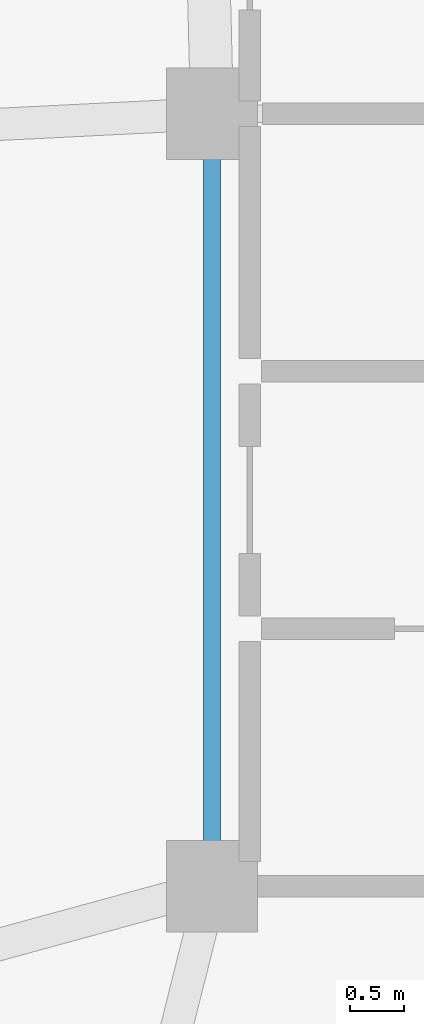
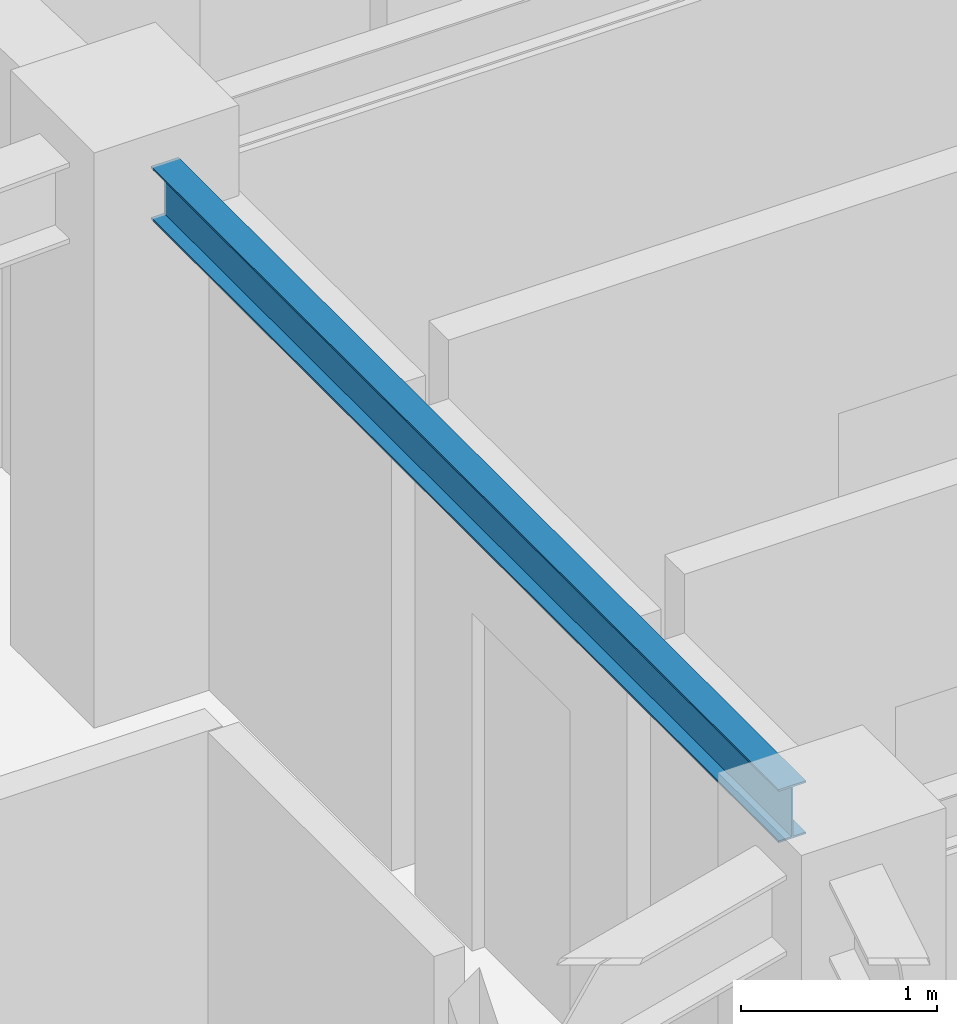
# One storey, part 6 of 28: 1 beam.
"""IFC4 building model written with IfcOpenShell, lengths in metres."""

from ifc_helpers import new_model, si_unit, direction, frame, origin, origin_2d, place, context, subcontext, project, spatial, i_section, extrude, material, material_profile, profile_set, type_object, element, save


model = new_model("IFC4")

# Units and contexts
model_context = context("Model", 3, precision=1e-05, world=origin(), true_north=direction((0.0, 1.0)))
body_context = subcontext(model_context, "Body", "Model", "MODEL_VIEW")
ifc_project = project(units=[si_unit("LENGTHUNIT", "METRE"), si_unit("AREAUNIT", "SQUARE_METRE"), si_unit("VOLUMEUNIT", "CUBIC_METRE"), si_unit("PLANEANGLEUNIT", "RADIAN"), si_unit("MASSUNIT", "GRAM", prefix="KILO")], contexts=[model_context])

# Site, building, storey
site_placement = place(None, origin())
site = spatial("IfcSite", under=ifc_project, at=site_placement, CompositionType="ELEMENT")
building_placement = place(site_placement, origin())
building = spatial("IfcBuilding", under=site, at=building_placement, Name="Varnakorn Sky Granary", CompositionType="ELEMENT")
storey_placement = place(building_placement, frame((0.0, 0.0, 207.60009765625)))
storey = spatial("IfcBuildingStorey", under=building, at=storey_placement, Name="L52", CompositionType="ELEMENT", Elevation=207.60009765625)

# Beam
ifc_material = material(Name="Steel S355JR", Category="steel")
ifc_material_profile = material_profile(ifc_material, i_section(OverallWidth=0.159912109375, OverallDepth=0.330078125, WebThickness=0.007568359375, FlangeThickness=0.011474609375, at=origin_2d()), Name="IPE 330")
ifc_profile_set = profile_set([ifc_material_profile], Name="Steel S355JR")
beam_type = type_object("IfcBeamType", Name="BM-SEC-Z4", PredefinedType="BEAM", material=ifc_profile_set)
beam_placement = place(storey_placement, frame((-2.35009765625, 0.195068359375, 3.19482421875), z_axis=(0.0, -1.0, 0.0), x_axis=(1.0, 0.0, 0.0)))
element("IfcBeam", 1, at=beam_placement, inside=storey, type_object=beam_type, Name="Core Spine Framing Beam 3 L52", PredefinedType="BEAM", context=body_context, shape_type="SweptSolid", body=[
    extrude(i_section(OverallWidth=0.159912109375, OverallDepth=0.330078125, WebThickness=0.007568359375, FlangeThickness=0.011474609375, at=origin_2d()), origin(), (0.0, 0.0, 1.0), 6.39013671875),
])

save(model, "model.ifc")
